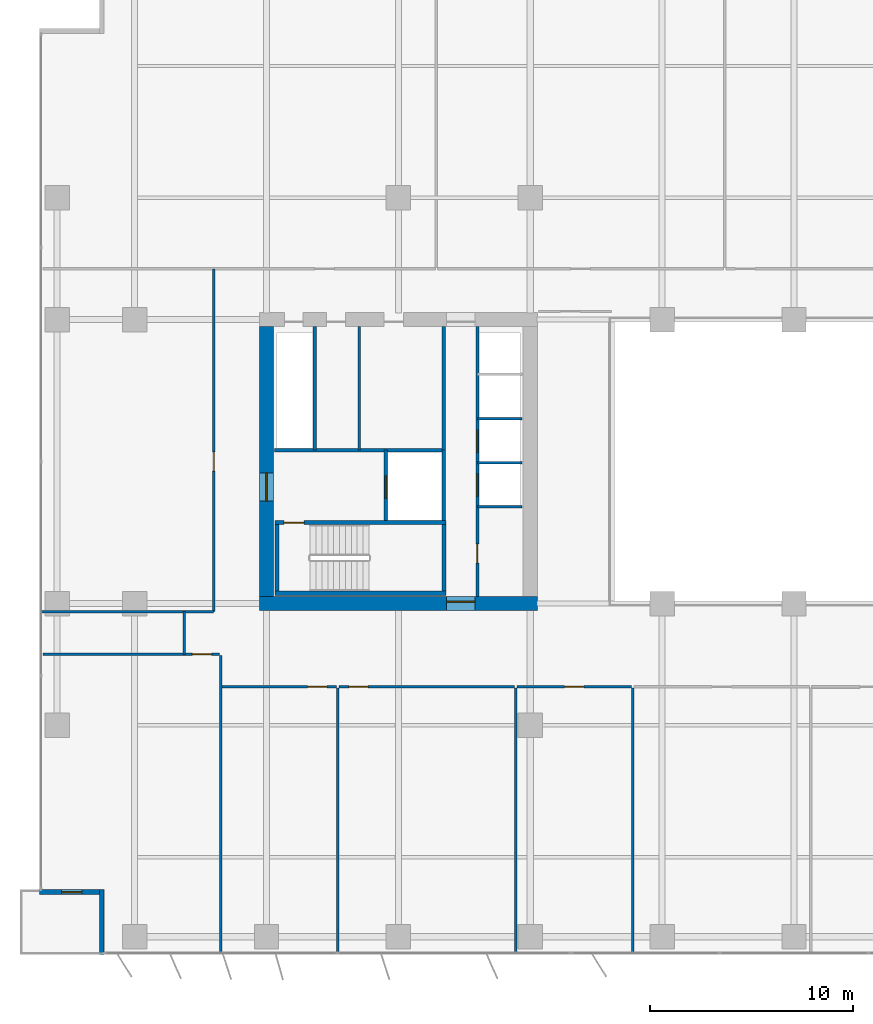
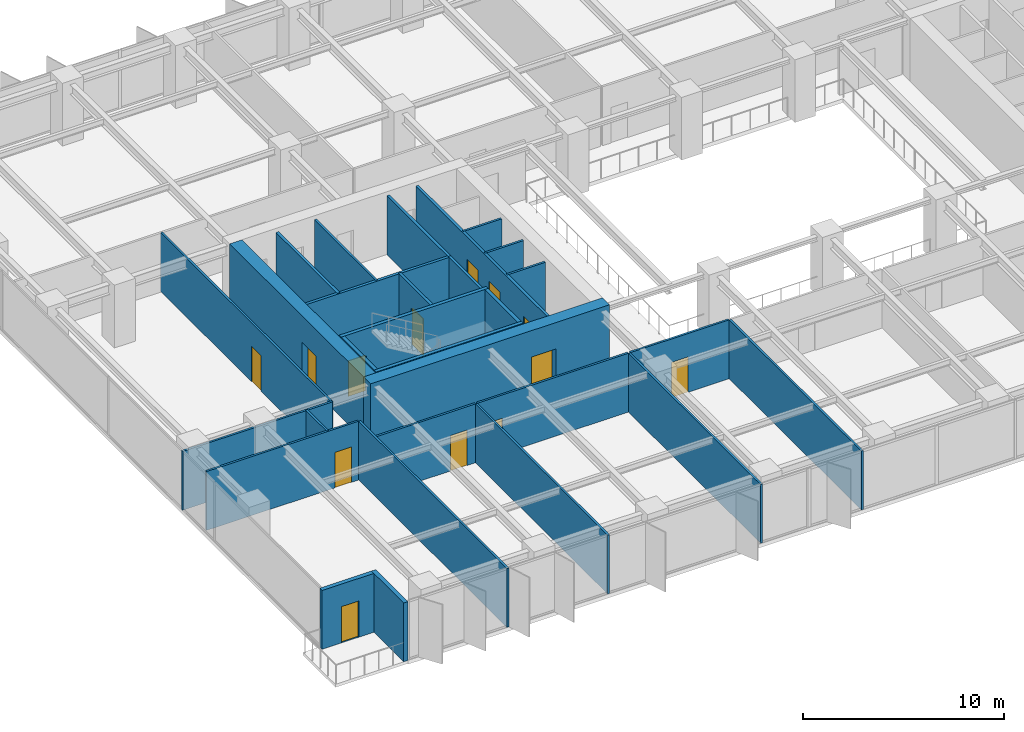
# One storey, part 13 of 20: 29 walls, 13 doors, 13 openings.
"""IFC4 building model written with IfcOpenShell, lengths in metres."""

from ifc_helpers import new_model, si_unit, direction, frame, frame_2d, origin, place, context, subcontext, project, spatial, rectangle, extrude, material, layer, layer_set, type_object, element, fill, save


model = new_model("IFC4")

# Units and contexts
model_context = context("Model", 3, precision=1e-05, world=origin(), true_north=direction((0.0, 1.0)))
body_context = subcontext(model_context, "Body", "Model", "MODEL_VIEW")
ifc_project = project(units=[si_unit("LENGTHUNIT", "METRE"), si_unit("AREAUNIT", "SQUARE_METRE"), si_unit("VOLUMEUNIT", "CUBIC_METRE"), si_unit("PLANEANGLEUNIT", "RADIAN"), si_unit("MASSUNIT", "GRAM", prefix="KILO")], contexts=[model_context])

# Site, building, storey
site_placement = place(None, origin())
site = spatial("IfcSite", under=ifc_project, at=site_placement, CompositionType="ELEMENT")
building_placement = place(site_placement, origin())
building = spatial("IfcBuilding", under=site, at=building_placement, Name="Putna Gate Headquarters", CompositionType="ELEMENT")
storey_placement = place(building_placement, frame((0.0, 0.0, 101.199951171875)))
storey = spatial("IfcBuildingStorey", under=building, at=storey_placement, Name="L24", CompositionType="ELEMENT", Elevation=101.199951171875)

# Wall, opening, door
ifc_material_1 = material(Name="Concrete C60/75", Category="concrete")
ifc_layer_1 = layer(ifc_material_1, 0.699951171875)
ifc_layer_set_1 = layer_set([ifc_layer_1], Name="Concrete C60/75")
wall_type_1 = type_object("IfcWallType", Name="WALL-CORE-700", PredefinedType="SHEAR", material=ifc_layer_set_1)
wall_1_placement = place(storey_placement, frame((12.64990234375, 19.0, 0.0), z_axis=(0.0, 0.0, 1.0), x_axis=(1.0, 0.0, 0.0)))
wall_1 = element("IfcWall", 1, at=wall_1_placement, inside=storey, type_object=wall_type_1, Name="L24 WC Split Core Shear Wall S", PredefinedType="SHEAR", context=body_context, shape_type="SweptSolid", body=[
    extrude(rectangle(XDim=13.7001953125, YDim=0.699951171875, at=frame_2d((6.85009765625, 0.0))), origin(), (0.0, 0.0, 1.0), 3.800048828125),
])
opening_1_placement = place(wall_1_placement, frame((9.22998046875, 0.0, 0.0)))
opening_1 = element("IfcOpeningElement", 2, at=opening_1_placement, cuts=wall_1, Name="Opening FDD-140", PredefinedType="OPENING", context=body_context, shape_type="SweptSolid", body=[
    extrude(rectangle(XDim=1.39990234375, YDim=2.199951171875, at=frame_2d((0.699951171875, 1.10009765625))), frame((0.0, 0.35986328125, 0.0), z_axis=(0.0, -1.0, 0.0), x_axis=(1.0, 0.0, 0.0)), (0.0, 0.0, 1.0), 0.719970703125),
])
ifc_material_2 = material(Name="Double steel fire door", Category="steel")
door_type_1 = type_object("IfcDoorType", Name="DOOR-FIRE-DBL-1400", OperationType="DOUBLE_DOOR_SINGLE_SWING", PredefinedType="DOOR", material=ifc_material_2)
door_1_placement = place(opening_1_placement, origin())
door_1 = element("IfcDoor", 3, at=door_1_placement, inside=storey, type_object=door_type_1, Name="L24 West Lift Lobby South Door", OperationType="DOUBLE_DOOR_SINGLE_SWING", OverallHeight=2.199951171875, OverallWidth=1.39990234375, PredefinedType="DOOR", context=body_context, shape_type="SweptSolid", body=[
    extrude(rectangle(XDim=1.39990234375, YDim=2.199951171875, at=frame_2d((0.699951171875, 1.10009765625))), frame((0.0, 0.125, 0.0), z_axis=(0.0, -1.0, 0.0), x_axis=(1.0, 0.0, 0.0)), (0.0, 0.0, 1.0), 0.050048828125),
])
fill(opening_1, door_1)

wall_2_placement = place(storey_placement, frame((13.0, 19.35009765625, 0.0), z_axis=(0.0, 0.0, 1.0), x_axis=(0.0, 1.0, 0.0)))
wall_2 = element("IfcWall", 4, at=wall_2_placement, inside=storey, type_object=wall_type_1, Name="L24 WC Split Core Shear Wall W", PredefinedType="SHEAR", context=body_context, shape_type="SweptSolid", body=[
    extrude(rectangle(XDim=13.2998046875, YDim=0.699951171875, at=frame_2d((6.64990234375, 0.0))), origin(), (0.0, 0.0, 1.0), 3.800048828125),
])
opening_2_placement = place(wall_2_placement, frame((4.699951171875, 0.0, 0.0)))
opening_2 = element("IfcOpeningElement", 5, at=opening_2_placement, cuts=wall_2, Name="Opening FDD-140", PredefinedType="OPENING", context=body_context, shape_type="SweptSolid", body=[
    extrude(rectangle(XDim=1.39990234375, YDim=2.199951171875, at=frame_2d((0.699951171875, 1.10009765625))), frame((0.0, 0.35986328125, 0.0), z_axis=(0.0, -1.0, 0.0), x_axis=(1.0, 0.0, 0.0)), (0.0, 0.0, 1.0), 0.719970703125),
])
door_2_placement = place(opening_2_placement, origin())
door_2 = element("IfcDoor", 6, at=door_2_placement, inside=storey, type_object=door_type_1, Name="L24 West Firefighting Lobby Door", OperationType="DOUBLE_DOOR_SINGLE_SWING", OverallHeight=2.199951171875, OverallWidth=1.39990234375, PredefinedType="DOOR", context=body_context, shape_type="SweptSolid", body=[
    extrude(rectangle(XDim=1.39990234375, YDim=2.199951171875, at=frame_2d((0.699951171875, 1.10009765625))), frame((0.0, 0.02490234375, 0.0), z_axis=(0.0, -1.0, 0.0), x_axis=(1.0, 0.0, 0.0)), (0.0, 0.0, 1.0), 0.050048828125),
])
fill(opening_2, door_2)

# Wall
ifc_material_3 = material(Name="Precast concrete C40/50", Category="concrete")
ifc_layer_2 = layer(ifc_material_3, 0.239990234375)
ifc_layer_set_2 = layer_set([ifc_layer_2], Name="Precast concrete C40/50")
wall_type_2 = type_object("IfcWallType", Name="WALL-EXT-TERR-240", PredefinedType="STANDARD", material=ifc_layer_set_2)
wall_3_placement = place(storey_placement, frame((4.8798828125, 1.699951171875, 0.0), z_axis=(0.0, 0.0, 1.0), x_axis=(0.0, 1.0, 0.0)))
element("IfcWall", 7, at=wall_3_placement, inside=storey, type_object=wall_type_2, Name="L24 Corner Notch Return Wall SW-V", PredefinedType="STANDARD", context=body_context, shape_type="SweptSolid", body=[
    extrude(rectangle(XDim=3.199951171875, YDim=0.239990234375, at=frame_2d((1.60009765625, 0.0))), origin(), (0.0, 0.0, 1.0), 3.56494140625),
])

# Wall, opening, door
wall_4_placement = place(storey_placement, frame((5.0, 4.780029296875, 0.0), z_axis=(0.0, 0.0, 1.0), x_axis=(-1.0, 0.0, 0.0)))
wall_4 = element("IfcWall", 8, at=wall_4_placement, inside=storey, type_object=wall_type_2, Name="L24 Corner Notch Return Wall SW-H", PredefinedType="STANDARD", context=body_context, shape_type="SweptSolid", body=[
    extrude(rectangle(XDim=3.199951171875, YDim=0.239990234375, at=frame_2d((1.60009765625, 0.0))), origin(), (0.0, 0.0, 1.0), 3.56494140625),
])
opening_3_placement = place(wall_4_placement, frame((1.10009765625, 0.0, 0.0)))
opening_3 = element("IfcOpeningElement", 9, at=opening_3_placement, cuts=wall_4, Name="Opening TRD-1", PredefinedType="OPENING", context=body_context, shape_type="SweptSolid", body=[
    extrude(rectangle(XDim=1.0, YDim=2.199951171875, at=frame_2d((0.5, 1.10009765625))), frame((0.0, 0.1298828125, 0.0), z_axis=(0.0, -1.0, 0.0), x_axis=(1.0, 0.0, 0.0)), (0.0, 0.0, 1.0), 0.260009765625),
])
ifc_material_4 = material(Name="Thermally broken bronze glazed terrace door")
door_type_2 = type_object("IfcDoorType", Name="DOOR-TERR-EXT-1000", OperationType="NOTDEFINED", PredefinedType="DOOR", material=ifc_material_4)
door_3_placement = place(opening_3_placement, origin())
door_3 = element("IfcDoor", 10, at=door_3_placement, inside=storey, type_object=door_type_2, Name="L24 Spiral Sky Terrace Door SW", OperationType="SINGLE_SWING_LEFT", OverallHeight=2.199951171875, OverallWidth=1.0, PredefinedType="DOOR", context=body_context, shape_type="SweptSolid", body=[
    extrude(rectangle(XDim=1.0, YDim=2.199951171875, at=frame_2d((0.5, 1.10009765625))), frame((0.0, 0.02490234375, 0.0), z_axis=(0.0, -1.0, 0.0), x_axis=(1.0, 0.0, 0.0)), (0.0, 0.0, 1.0), 0.050048828125),
])
fill(opening_3, door_3)

# Walls
ifc_material_5 = material(Name="Acoustic gypsum board on metal stud")
ifc_layer_3 = layer(ifc_material_5, 0.1201171875)
ifc_layer_set_3 = layer_set([ifc_layer_3], Name="Acoustic gypsum board on metal stud")
wall_type_3 = type_object("IfcWallType", Name="WALL-PART-120", PredefinedType="PARTITIONING", material=ifc_layer_set_3)
wall_5_placement = place(storey_placement, frame((10.746826171875, 1.719970703125, 0.0), z_axis=(0.0, 0.0, 1.0), x_axis=(0.0, 1.0, 0.0)))
element("IfcWall", 11, at=wall_5_placement, inside=storey, type_object=wall_type_3, Name="L24 Interior Wall PART-L24-SB-DIV-01", PredefinedType="PARTITIONING", context=body_context, shape_type="SweptSolid", body=[
    extrude(rectangle(XDim=14.719970703125, YDim=0.1201171875, at=frame_2d((7.35986328125, 0.0))), origin(), (0.0, 0.0, 1.0), 3.56494140625),
])
for number, where, z_axis, x_axis, name in (
    (12, (16.52001953125, 1.719970703125, 0.0), (0.0, 0.0, 1.0), (0.0, 1.0, 0.0), "L24 Interior Wall PART-L24-SB-DIV-02"),
    (13, (25.286865234375, 1.719970703125, 0.0), (0.0, 0.0, 1.0), (0.0, 1.0, 0.0), "L24 Interior Wall PART-L24-SB-DIV-03"),
    (14, (31.06005859375, 1.719970703125, 0.0), (0.0, 0.0, 1.0), (0.0, 1.0, 0.0), "L24 Interior Wall PART-L24-SB-DIV-04"),
):
    element("IfcWall", number, at=place(storey_placement, frame(where, z_axis=z_axis, x_axis=x_axis)), inside=storey, type_object=wall_type_3, Name=name, PredefinedType="PARTITIONING", context=body_context, shape_type="SweptSolid", body=[
        extrude(rectangle(XDim=13.1201171875, YDim=0.1201171875, at=frame_2d((6.56005859375, 0.0))), origin(), (0.0, 0.0, 1.0), 3.56494140625),
    ])
ifc_material_6 = material(Name="Fire-rated shaftwall gypsum board on metal stud")
ifc_layer_4 = layer(ifc_material_6, 0.1201171875)
ifc_layer_set_4 = layer_set([ifc_layer_4], Name="Fire-rated shaftwall gypsum board on metal stud")
wall_type_4 = type_object("IfcWallType", Name="WALL-PART-120-EI120", PredefinedType="PARTITIONING", material=ifc_layer_set_4)
for number, where, z_axis, x_axis, name in (
    (15, (23.39990234375, 25.949951171875, 0.0), (0.0, 0.0, 1.0), (1.0, 0.0, 0.0), "L24 Interior Wall CWINT-L24-WC-LF05-DIV"),
    (16, (23.39990234375, 28.1201171875, 0.0), (0.0, 0.0, 1.0), (1.0, 0.0, 0.0), "L24 Interior Wall CWINT-L24-WC-LF06-DIV"),
):
    element("IfcWall", number, at=place(storey_placement, frame(where, z_axis=z_axis, x_axis=x_axis)), inside=storey, type_object=wall_type_4, Name=name, PredefinedType="PARTITIONING", context=body_context, shape_type="SweptSolid", body=[
        extrude(rectangle(XDim=2.2001953125, YDim=0.1201171875, at=frame_2d((1.10009765625, 0.0))), origin(), (0.0, 0.0, 1.0), 3.56494140625),
    ])
ifc_material_7 = material(Name="Fire-rated gypsum board on metal stud")
ifc_layer_5 = layer(ifc_material_7, 0.1201171875)
ifc_layer_set_5 = layer_set([ifc_layer_5], Name="Fire-rated gypsum board on metal stud")
wall_type_5 = type_object("IfcWallType", Name="WALL-PART-120-RATED", PredefinedType="PARTITIONING", material=ifc_layer_set_5)
wall_6_placement = place(storey_placement, frame((17.570068359375, 26.56005859375, 0.0), z_axis=(0.0, 0.0, 1.0), x_axis=(0.0, 1.0, 0.0)))
element("IfcWall", 17, at=wall_6_placement, inside=storey, type_object=wall_type_5, Name="L24 Interior Wall CWINT-L24-WC-K1-DIV", PredefinedType="PARTITIONING", context=body_context, shape_type="SweptSolid", body=[
    extrude(rectangle(XDim=6.08984375, YDim=0.1201171875, at=frame_2d((3.044921875, 0.0))), origin(), (0.0, 0.0, 1.0), 3.56494140625),
])
wall_7_placement = place(storey_placement, frame((23.39990234375, 23.780029296875, 0.0), z_axis=(0.0, 0.0, 1.0), x_axis=(1.0, 0.0, 0.0)))
element("IfcWall", 18, at=wall_7_placement, inside=storey, type_object=wall_type_5, Name="L24 Interior Wall CWINT-L24-WC-LF02-DIV", PredefinedType="PARTITIONING", context=body_context, shape_type="SweptSolid", body=[
    extrude(rectangle(XDim=2.2001953125, YDim=0.1201171875, at=frame_2d((1.10009765625, 0.0))), origin(), (0.0, 0.0, 1.0), 3.56494140625),
])
wall_8_placement = place(storey_placement, frame((8.94677734375, 16.5, 0.0), z_axis=(0.0, 0.0, 1.0), x_axis=(0.0, 1.0, 0.0)))
element("IfcWall", 19, at=wall_8_placement, inside=storey, type_object=wall_type_5, Name="L24 Interior Wall PART-L24-CORRS-CAPW", PredefinedType="PARTITIONING", context=body_context, shape_type="SweptSolid", body=[
    extrude(rectangle(XDim=2.10009765625, YDim=0.1201171875, at=frame_2d((1.050048828125, 0.0))), origin(), (0.0, 0.0, 1.0), 3.56494140625),
])

# Wall, opening, door
wall_9_placement = place(storey_placement, frame((1.97998046875, 16.5, 0.0), z_axis=(0.0, 0.0, 1.0), x_axis=(1.0, 0.0, 0.0)))
wall_9 = element("IfcWall", 20, at=wall_9_placement, inside=storey, type_object=wall_type_5, Name="L24 Interior Wall PART-L24-SB-CW-01", PredefinedType="PARTITIONING", context=body_context, shape_type="SweptSolid", body=[
    extrude(rectangle(XDim=8.706787109375, YDim=0.1201171875, at=frame_2d((4.353515625, 0.0))), origin(), (0.0, 0.0, 1.0), 3.56494140625),
])
opening_4_placement = place(wall_9_placement, frame((7.36181640625, 0.0, 0.0)))
opening_4 = element("IfcOpeningElement", 21, at=opening_4_placement, cuts=wall_9, Name="Opening FD-95", PredefinedType="OPENING", context=body_context, shape_type="SweptSolid", body=[
    extrude(rectangle(XDim=0.949951171875, YDim=2.14990234375, at=frame_2d((0.47509765625, 1.074951171875))), frame((0.0, 0.070068359375, 0.0), z_axis=(0.0, -1.0, 0.0), x_axis=(1.0, 0.0, 0.0)), (0.0, 0.0, 1.0), 0.14013671875),
])
ifc_material_8 = material(Name="Acoustic timber fire door", Category="wood")
door_type_3 = type_object("IfcDoorType", Name="DOOR-FIRE-950", OperationType="NOTDEFINED", PredefinedType="DOOR", material=ifc_material_8)
door_4_placement = place(opening_4_placement, origin())
door_4 = element("IfcDoor", 22, at=door_4_placement, inside=storey, type_object=door_type_3, Name="L24 Quiet Wellness Focus Studio 2 Door", OperationType="SINGLE_SWING_LEFT", OverallHeight=2.14990234375, OverallWidth=0.949951171875, PredefinedType="DOOR", context=body_context, shape_type="SweptSolid", body=[
    extrude(rectangle(XDim=0.949951171875, YDim=2.14990234375, at=frame_2d((0.47509765625, 1.074951171875))), frame((0.0, 0.02490234375, 0.0), z_axis=(0.0, -1.0, 0.0), x_axis=(1.0, 0.0, 0.0)), (0.0, 0.0, 1.0), 0.050048828125),
])
fill(opening_4, door_4)

wall_10_placement = place(storey_placement, frame((10.806884765625, 14.89990234375, 0.0), z_axis=(0.0, 0.0, 1.0), x_axis=(1.0, 0.0, 0.0)))
wall_10 = element("IfcWall", 23, at=wall_10_placement, inside=storey, type_object=wall_type_5, Name="L24 Interior Wall PART-L24-SB-CW-02", PredefinedType="PARTITIONING", context=body_context, shape_type="SweptSolid", body=[
    extrude(rectangle(XDim=5.653076171875, YDim=0.1201171875, at=frame_2d((2.82666015625, 0.0))), origin(), (0.0, 0.0, 1.0), 3.56494140625),
])
opening_5_placement = place(wall_10_placement, frame((4.22314453125, 0.0, 0.0)))
opening_5 = element("IfcOpeningElement", 24, at=opening_5_placement, cuts=wall_10, Name="Opening FD-95", PredefinedType="OPENING", context=body_context, shape_type="SweptSolid", body=[
    extrude(rectangle(XDim=0.949951171875, YDim=2.14990234375, at=frame_2d((0.47509765625, 1.074951171875))), frame((0.0, 0.070068359375, 0.0), z_axis=(0.0, -1.0, 0.0), x_axis=(1.0, 0.0, 0.0)), (0.0, 0.0, 1.0), 0.14013671875),
])
door_5_placement = place(opening_5_placement, origin())
door_5 = element("IfcDoor", 25, at=door_5_placement, inside=storey, type_object=door_type_3, Name="L24 Cellular Office 3 Door", OperationType="SINGLE_SWING_RIGHT", OverallHeight=2.14990234375, OverallWidth=0.949951171875, PredefinedType="DOOR", context=body_context, shape_type="SweptSolid", body=[
    extrude(rectangle(XDim=0.949951171875, YDim=2.14990234375, at=frame_2d((0.47509765625, 1.074951171875))), frame((0.0, 0.02490234375, 0.0), z_axis=(0.0, -1.0, 0.0), x_axis=(1.0, 0.0, 0.0)), (0.0, 0.0, 1.0), 0.050048828125),
])
fill(opening_5, door_5)

wall_11_placement = place(storey_placement, frame((16.580078125, 14.89990234375, 0.0), z_axis=(0.0, 0.0, 1.0), x_axis=(1.0, 0.0, 0.0)))
wall_11 = element("IfcWall", 26, at=wall_11_placement, inside=storey, type_object=wall_type_5, Name="L24 Interior Wall PART-L24-SB-CW-03", PredefinedType="PARTITIONING", context=body_context, shape_type="SweptSolid", body=[
    extrude(rectangle(XDim=8.646728515625, YDim=0.1201171875, at=frame_2d((4.3232421875, 0.0))), origin(), (0.0, 0.0, 1.0), 3.56494140625),
])
opening_6_placement = place(wall_11_placement, frame((0.47998046875, 0.0, 0.0)))
opening_6 = element("IfcOpeningElement", 27, at=opening_6_placement, cuts=wall_11, Name="Opening FD-95", PredefinedType="OPENING", context=body_context, shape_type="SweptSolid", body=[
    extrude(rectangle(XDim=0.949951171875, YDim=2.14990234375, at=frame_2d((0.47509765625, 1.074951171875))), frame((0.0, 0.070068359375, 0.0), z_axis=(0.0, -1.0, 0.0), x_axis=(1.0, 0.0, 0.0)), (0.0, 0.0, 1.0), 0.14013671875),
])
door_6_placement = place(opening_6_placement, origin())
door_6 = element("IfcDoor", 28, at=door_6_placement, inside=storey, type_object=door_type_3, Name="L24 Conference Meeting Room 1 Door", OperationType="SINGLE_SWING_LEFT", OverallHeight=2.14990234375, OverallWidth=0.949951171875, PredefinedType="DOOR", context=body_context, shape_type="SweptSolid", body=[
    extrude(rectangle(XDim=0.949951171875, YDim=2.14990234375, at=frame_2d((0.47509765625, 1.074951171875))), frame((0.0, 0.02490234375, 0.0), z_axis=(0.0, -1.0, 0.0), x_axis=(1.0, 0.0, 0.0)), (0.0, 0.0, 1.0), 0.050048828125),
])
fill(opening_6, door_6)

wall_12_placement = place(storey_placement, frame((25.3466796875, 14.89990234375, 0.0), z_axis=(0.0, 0.0, 1.0), x_axis=(1.0, 0.0, 0.0)))
wall_12 = element("IfcWall", 29, at=wall_12_placement, inside=storey, type_object=wall_type_5, Name="L24 Interior Wall PART-L24-SB-CW-04", PredefinedType="PARTITIONING", context=body_context, shape_type="SweptSolid", body=[
    extrude(rectangle(XDim=5.6533203125, YDim=0.1201171875, at=frame_2d((2.82666015625, 0.0))), origin(), (0.0, 0.0, 1.0), 3.56494140625),
])
opening_7_placement = place(wall_12_placement, frame((2.3515625, 0.0, 0.0)))
opening_7 = element("IfcOpeningElement", 30, at=opening_7_placement, cuts=wall_12, Name="Opening FD-95", PredefinedType="OPENING", context=body_context, shape_type="SweptSolid", body=[
    extrude(rectangle(XDim=0.949951171875, YDim=2.14990234375, at=frame_2d((0.47509765625, 1.074951171875))), frame((0.0, 0.070068359375, 0.0), z_axis=(0.0, -1.0, 0.0), x_axis=(1.0, 0.0, 0.0)), (0.0, 0.0, 1.0), 0.14013671875),
])
door_7_placement = place(opening_7_placement, origin())
door_7 = element("IfcDoor", 31, at=door_7_placement, inside=storey, type_object=door_type_3, Name="L24 Conference Meeting Room 2 Door", OperationType="SINGLE_SWING_RIGHT", OverallHeight=2.14990234375, OverallWidth=0.949951171875, PredefinedType="DOOR", context=body_context, shape_type="SweptSolid", body=[
    extrude(rectangle(XDim=0.949951171875, YDim=2.14990234375, at=frame_2d((0.47509765625, 1.074951171875))), frame((0.0, 0.02490234375, 0.0), z_axis=(0.0, -1.0, 0.0), x_axis=(1.0, 0.0, 0.0)), (0.0, 0.0, 1.0), 0.050048828125),
])
fill(opening_7, door_7)

# Wall
wall_13_placement = place(storey_placement, frame((1.820068359375, 18.60009765625, 0.0), z_axis=(0.0, 0.0, 1.0), x_axis=(1.0, 0.0, 0.0)))
element("IfcWall", 32, at=wall_13_placement, inside=storey, type_object=wall_type_5, Name="L24 Interior Wall PART-L24-WW-S-BOUND", PredefinedType="PARTITIONING", context=body_context, shape_type="SweptSolid", body=[
    extrude(rectangle(XDim=8.579833984375, YDim=0.1201171875, at=frame_2d((4.2900390625, 0.0))), origin(), (0.0, 0.0, 1.0), 3.56494140625),
])

# Wall, opening, door
wall_14_placement = place(storey_placement, frame((10.39990234375, 18.60009765625, 0.0), z_axis=(0.0, 0.0, 1.0), x_axis=(0.0, 1.0, 0.0)))
wall_14 = element("IfcWall", 33, at=wall_14_placement, inside=storey, type_object=wall_type_5, Name="L24 Interior Wall PART-L24-WW-CW-1", PredefinedType="PARTITIONING", context=body_context, shape_type="SweptSolid", body=[
    extrude(rectangle(XDim=16.89990234375, YDim=0.1201171875, at=frame_2d((8.449951171875, 0.0))), origin(), (0.0, 0.0, 1.0), 3.56494140625),
])
opening_8_placement = place(wall_14_placement, frame((6.925048828125, 0.0, 0.0)))
opening_8 = element("IfcOpeningElement", 34, at=opening_8_placement, cuts=wall_14, Name="Opening FD-95", PredefinedType="OPENING", context=body_context, shape_type="SweptSolid", body=[
    extrude(rectangle(XDim=0.949951171875, YDim=2.14990234375, at=frame_2d((0.47509765625, 1.074951171875))), frame((0.0, 0.070068359375, 0.0), z_axis=(0.0, -1.0, 0.0), x_axis=(1.0, 0.0, 0.0)), (0.0, 0.0, 1.0), 0.14013671875),
])
door_8_placement = place(opening_8_placement, origin())
door_8 = element("IfcDoor", 35, at=door_8_placement, inside=storey, type_object=door_type_3, Name="L24 West Project Meeting Room 1 Door", OperationType="SINGLE_SWING_LEFT", OverallHeight=2.14990234375, OverallWidth=0.949951171875, PredefinedType="DOOR", context=body_context, shape_type="SweptSolid", body=[
    extrude(rectangle(XDim=0.949951171875, YDim=2.14990234375, at=frame_2d((0.47509765625, 1.074951171875))), frame((0.0, 0.02490234375, 0.0), z_axis=(0.0, -1.0, 0.0), x_axis=(1.0, 0.0, 0.0)), (0.0, 0.0, 1.0), 0.050048828125),
])
fill(opening_8, door_8)

# Wall
ifc_material_9 = material(Name="Concrete C40/50", Category="concrete")
ifc_layer_6 = layer(ifc_material_9, 0.159912109375)
ifc_layer_set_6 = layer_set([ifc_layer_6], Name="Concrete C40/50")
wall_type_6 = type_object("IfcWallType", Name="WALL-SHAFT-160", PredefinedType="STANDARD", material=ifc_layer_set_6)
wall_15_placement = place(storey_placement, frame((21.739990234375, 23.090087890625, 0.0), z_axis=(0.0, 0.0, 1.0), x_axis=(0.0, 1.0, 0.0)))
element("IfcWall", 36, at=wall_15_placement, inside=storey, type_object=wall_type_6, Name="L24 Interior Wall CWINT-L24-WC-FFL-E", PredefinedType="STANDARD", context=body_context, shape_type="SweptSolid", body=[
    extrude(rectangle(XDim=3.469970703125, YDim=0.159912109375, at=frame_2d((1.73486328125, 0.0))), origin(), (0.0, 0.0, 1.0), 3.56494140625),
])

# Wall, opening, door
wall_16_placement = place(storey_placement, frame((18.8798828125, 23.090087890625, 0.0), z_axis=(0.0, 0.0, 1.0), x_axis=(0.0, 1.0, 0.0)))
wall_16 = element("IfcWall", 37, at=wall_16_placement, inside=storey, type_object=wall_type_6, Name="L24 Interior Wall CWINT-L24-WC-LF13-W", PredefinedType="STANDARD", context=body_context, shape_type="SweptSolid", body=[
    extrude(rectangle(XDim=3.469970703125, YDim=0.159912109375, at=frame_2d((1.73486328125, 0.0))), origin(), (0.0, 0.0, 1.0), 3.56494140625),
])
opening_9_placement = place(wall_16_placement, frame((1.10009765625, 0.0, 0.0)))
opening_9 = element("IfcOpeningElement", 38, at=opening_9_placement, cuts=wall_16, Name="Opening LD-1", PredefinedType="OPENING", context=body_context, shape_type="SweptSolid", body=[
    extrude(rectangle(XDim=1.10009765625, YDim=2.199951171875, at=frame_2d((0.550048828125, 1.10009765625))), frame((0.0, 0.08984375, 0.0), z_axis=(0.0, -1.0, 0.0), x_axis=(1.0, 0.0, 0.0)), (0.0, 0.0, 1.0), 0.179931640625),
])
ifc_material_10 = material(Name="Brushed bronze stainless lift landing door")
door_type_4 = type_object("IfcDoorType", Name="DOOR-LIFT-1100", OperationType="DOUBLE_DOOR_SLIDING", PredefinedType="DOOR", material=ifc_material_10)
door_9_placement = place(opening_9_placement, origin())
door_9 = element("IfcDoor", 39, at=door_9_placement, inside=storey, type_object=door_type_4, Name="L24 Lift Landing Door LD-13", OperationType="DOUBLE_DOOR_SLIDING", OverallHeight=2.199951171875, OverallWidth=1.10009765625, PredefinedType="DOOR", context=body_context, shape_type="SweptSolid", body=[
    extrude(rectangle(XDim=1.10009765625, YDim=2.199951171875, at=frame_2d((0.550048828125, 1.10009765625))), frame((0.0, 0.02490234375, 0.0), z_axis=(0.0, -1.0, 0.0), x_axis=(1.0, 0.0, 0.0)), (0.0, 0.0, 1.0), 0.050048828125),
])
fill(opening_9, door_9)

# Walls
wall_17_placement = place(storey_placement, frame((13.39990234375, 26.56005859375, 0.0), z_axis=(0.0, 0.0, 1.0), x_axis=(1.0, 0.0, 0.0)))
element("IfcWall", 40, at=wall_17_placement, inside=storey, type_object=wall_type_6, Name="L24 Interior Wall CWINT-L24-WC-FFL-N", PredefinedType="STANDARD", context=body_context, shape_type="SweptSolid", body=[
    extrude(rectangle(XDim=8.340087890625, YDim=0.159912109375, at=frame_2d((4.169921875, 0.0))), origin(), (0.0, 0.0, 1.0), 3.56494140625),
])
for number, where, z_axis, x_axis, name in (
    (41, (15.3798828125, 26.56005859375, 0.0), (0.0, 0.0, 1.0), (0.0, 1.0, 0.0), "L24 Interior Wall CWINT-L24-WC-RISER-E"),
    (42, (21.739990234375, 26.56005859375, 0.0), (0.0, 0.0, 1.0), (0.0, 1.0, 0.0), "L24 Interior Wall CWINT-L24-WC-LOB-W"),
):
    element("IfcWall", number, at=place(storey_placement, frame(where, z_axis=z_axis, x_axis=x_axis)), inside=storey, type_object=wall_type_6, Name=name, PredefinedType="STANDARD", context=body_context, shape_type="SweptSolid", body=[
        extrude(rectangle(XDim=6.08984375, YDim=0.159912109375, at=frame_2d((3.044921875, 0.0))), origin(), (0.0, 0.0, 1.0), 3.56494140625),
    ])

# Wall, openings, doors
wall_18_placement = place(storey_placement, frame((23.39990234375, 19.35009765625, 0.0), z_axis=(0.0, 0.0, 1.0), x_axis=(0.0, 1.0, 0.0)))
wall_18 = element("IfcWall", 43, at=wall_18_placement, inside=storey, type_object=wall_type_6, Name="L24 Interior Wall CWINT-L24-WC-PL-WALL", PredefinedType="STANDARD", context=body_context, shape_type="SweptSolid", body=[
    extrude(rectangle(XDim=13.2998046875, YDim=0.159912109375, at=frame_2d((6.64990234375, 0.0))), origin(), (0.0, 0.0, 1.0), 3.56494140625),
])
opening_10_placement = place(wall_18_placement, frame((1.64990234375, 0.0, 0.0)))
opening_10 = element("IfcOpeningElement", 44, at=opening_10_placement, cuts=wall_18, Name="Opening IDS-95", PredefinedType="OPENING", context=body_context, shape_type="SweptSolid", body=[
    extrude(rectangle(XDim=0.949951171875, YDim=2.14990234375, at=frame_2d((0.47509765625, 1.074951171875))), frame((0.0, 0.08984375, 0.0), z_axis=(0.0, -1.0, 0.0), x_axis=(1.0, 0.0, 0.0)), (0.0, 0.0, 1.0), 0.179931640625),
])
opening_11_placement = place(wall_18_placement, frame((4.949951171875, 0.0, 0.0)))
opening_11 = element("IfcOpeningElement", 45, at=opening_11_placement, cuts=wall_18, Name="Opening LD-1", PredefinedType="OPENING", context=body_context, shape_type="SweptSolid", body=[
    extrude(rectangle(XDim=1.10009765625, YDim=2.199951171875, at=frame_2d((0.550048828125, 1.10009765625))), frame((0.0, 0.08984375, 0.0), z_axis=(0.0, -1.0, 0.0), x_axis=(1.0, 0.0, 0.0)), (0.0, 0.0, 1.0), 0.179931640625),
])
opening_12_placement = place(wall_18_placement, frame((7.10009765625, 0.0, 0.0)))
opening_12 = element("IfcOpeningElement", 46, at=opening_12_placement, cuts=wall_18, Name="Opening LD-1", PredefinedType="OPENING", context=body_context, shape_type="SweptSolid", body=[
    extrude(rectangle(XDim=1.10009765625, YDim=2.199951171875, at=frame_2d((0.550048828125, 1.10009765625))), frame((0.0, 0.08984375, 0.0), z_axis=(0.0, -1.0, 0.0), x_axis=(1.0, 0.0, 0.0)), (0.0, 0.0, 1.0), 0.179931640625),
])
ifc_material_11 = material(Name="Fire-rated service timber door", Category="wood")
door_type_5 = type_object("IfcDoorType", Name="DOOR-INT-950", OperationType="NOTDEFINED", PredefinedType="DOOR", material=ifc_material_11)
door_10_placement = place(opening_10_placement, origin())
door_10 = element("IfcDoor", 47, at=door_10_placement, inside=storey, type_object=door_type_5, Name="L24 Document Archive Door", OperationType="SINGLE_SWING_LEFT", OverallHeight=2.14990234375, OverallWidth=0.949951171875, PredefinedType="DOOR", context=body_context, shape_type="SweptSolid", body=[
    extrude(rectangle(XDim=0.949951171875, YDim=2.14990234375, at=frame_2d((0.47509765625, 1.074951171875))), frame((0.0, 0.02490234375, 0.0), z_axis=(0.0, -1.0, 0.0), x_axis=(1.0, 0.0, 0.0)), (0.0, 0.0, 1.0), 0.050048828125),
])
fill(opening_10, door_10)
door_11_placement = place(opening_11_placement, origin())
door_11 = element("IfcDoor", 48, at=door_11_placement, inside=storey, type_object=door_type_4, Name="L24 Lift Landing Door LD-05", OperationType="DOUBLE_DOOR_SLIDING", OverallHeight=2.199951171875, OverallWidth=1.10009765625, PredefinedType="DOOR", context=body_context, shape_type="SweptSolid", body=[
    extrude(rectangle(XDim=1.10009765625, YDim=2.199951171875, at=frame_2d((0.550048828125, 1.10009765625))), frame((0.0, 0.02490234375, 0.0), z_axis=(0.0, -1.0, 0.0), x_axis=(1.0, 0.0, 0.0)), (0.0, 0.0, 1.0), 0.050048828125),
])
fill(opening_11, door_11)
door_12_placement = place(opening_12_placement, origin())
door_12 = element("IfcDoor", 49, at=door_12_placement, inside=storey, type_object=door_type_4, Name="L24 Lift Landing Door LD-06", OperationType="DOUBLE_DOOR_SLIDING", OverallHeight=2.199951171875, OverallWidth=1.10009765625, PredefinedType="DOOR", context=body_context, shape_type="SweptSolid", body=[
    extrude(rectangle(XDim=1.10009765625, YDim=2.199951171875, at=frame_2d((0.550048828125, 1.10009765625))), frame((0.0, 0.02490234375, 0.0), z_axis=(0.0, -1.0, 0.0), x_axis=(1.0, 0.0, 0.0)), (0.0, 0.0, 1.0), 0.050048828125),
])
fill(opening_12, door_12)

# Wall
ifc_layer_7 = layer(ifc_material_9, 0.199951171875)
ifc_layer_set_7 = layer_set([ifc_layer_7], Name="Concrete C40/50")
wall_type_7 = type_object("IfcWallType", Name="WALL-SHAFT-RC200", PredefinedType="SHEAR", material=ifc_layer_set_7)
wall_19_placement = place(storey_placement, frame((13.409912109375, 19.510009765625, 0.0), z_axis=(0.0, 0.0, 1.0), x_axis=(1.0, 0.0, 0.0)))
element("IfcWall", 50, at=wall_19_placement, inside=storey, type_object=wall_type_7, Name="L24 Stair ST1 Structural Shaft Wall S", PredefinedType="SHEAR", context=body_context, shape_type="SweptSolid", body=[
    extrude(rectangle(XDim=8.43017578125, YDim=0.199951171875, at=frame_2d((4.215087890625, 0.0))), origin(), (0.0, 0.0, 1.0), 3.800048828125),
])

# Wall, opening, door
wall_20_placement = place(storey_placement, frame((13.409912109375, 22.989990234375, 0.0), z_axis=(0.0, 0.0, 1.0), x_axis=(1.0, 0.0, 0.0)))
wall_20 = element("IfcWall", 51, at=wall_20_placement, inside=storey, type_object=wall_type_7, Name="L24 Stair ST1 Structural Shaft Wall N", PredefinedType="SHEAR", context=body_context, shape_type="SweptSolid", body=[
    extrude(rectangle(XDim=8.43017578125, YDim=0.199951171875, at=frame_2d((4.215087890625, 0.0))), origin(), (0.0, 0.0, 1.0), 3.800048828125),
])
opening_13_placement = place(wall_20_placement, frame((0.449951171875, 0.0, 0.0)))
opening_13 = element("IfcOpeningElement", 52, at=opening_13_placement, cuts=wall_20, Name="Opening FD-100", PredefinedType="OPENING", context=body_context, shape_type="SweptSolid", body=[
    extrude(rectangle(XDim=1.0, YDim=2.14990234375, at=frame_2d((0.5, 1.074951171875))), frame((0.0, 0.10986328125, 0.0), z_axis=(0.0, -1.0, 0.0), x_axis=(1.0, 0.0, 0.0)), (0.0, 0.0, 1.0), 0.219970703125),
])
ifc_material_12 = material(Name="Powder-coated steel fire door", Category="steel")
door_type_6 = type_object("IfcDoorType", Name="DOOR-FIRE-1000", OperationType="NOTDEFINED", PredefinedType="DOOR", material=ifc_material_12)
door_13_placement = place(opening_13_placement, origin())
door_13 = element("IfcDoor", 53, at=door_13_placement, inside=storey, type_object=door_type_6, Name="L24 Stair ST1 Fire Door", OperationType="SINGLE_SWING_LEFT", OverallHeight=2.14990234375, OverallWidth=1.0, PredefinedType="DOOR", context=body_context, shape_type="SweptSolid", body=[
    extrude(rectangle(XDim=1.0, YDim=2.14990234375, at=frame_2d((0.5, 1.074951171875))), frame((0.0, 0.02490234375, 0.0), z_axis=(0.0, -1.0, 0.0), x_axis=(1.0, 0.0, 0.0)), (0.0, 0.0, 1.0), 0.050048828125),
])
fill(opening_13, door_13)

# Walls
for number, where, z_axis, x_axis, name in (
    (54, (13.510009765625, 19.610107421875, 0.0), (0.0, 0.0, 1.0), (0.0, 1.0, 0.0), "L24 Stair ST1 Structural Shaft Wall W"),
    (55, (21.739990234375, 19.610107421875, 0.0), (0.0, 0.0, 1.0), (0.0, 1.0, 0.0), "L24 Stair ST1 Structural Shaft Wall E"),
):
    element("IfcWall", number, at=place(storey_placement, frame(where, z_axis=z_axis, x_axis=x_axis)), inside=storey, type_object=wall_type_7, Name=name, PredefinedType="SHEAR", context=body_context, shape_type="SweptSolid", body=[
        extrude(rectangle(XDim=3.27978515625, YDim=0.199951171875, at=frame_2d((1.639892578125, 0.0))), origin(), (0.0, 0.0, 1.0), 3.800048828125),
    ])

save(model, "model.ifc")
